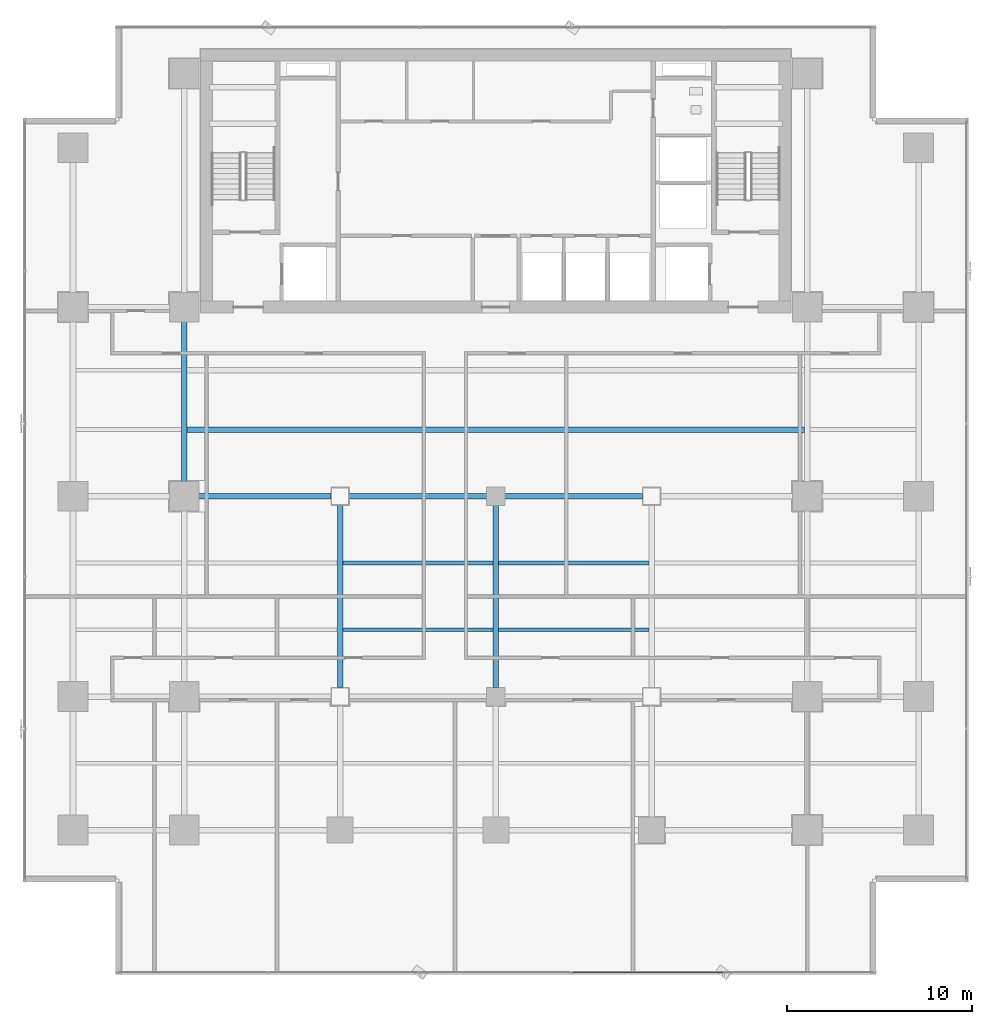
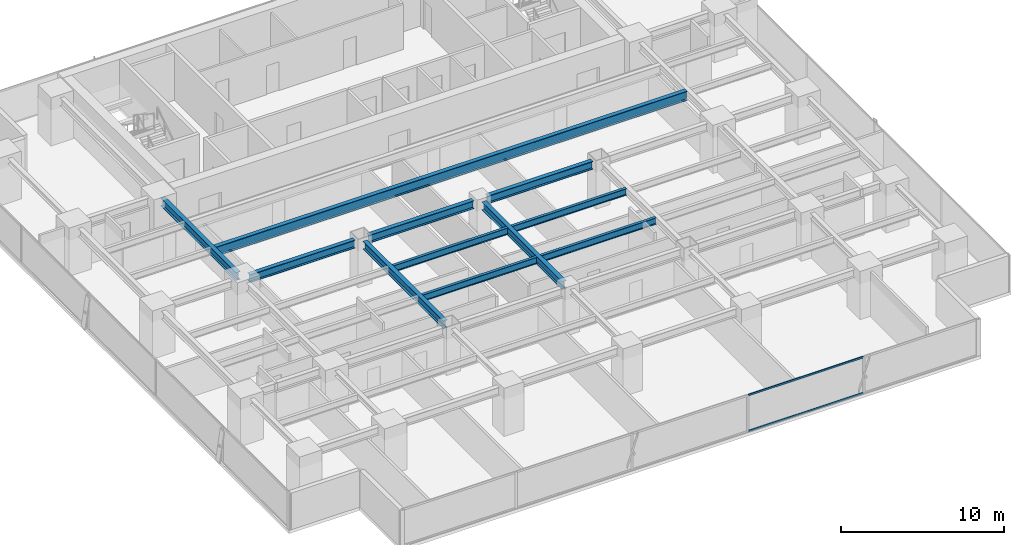
# One storey, part 11 of 37: 11 beams, 2 members, 1 element without a shape of its own.
"""IFC4 building model written with IfcOpenShell, lengths in metres."""

from ifc_helpers import new_model, si_unit, direction, frame, origin, origin_2d, place, context, subcontext, project, spatial, hollow_rectangle, i_section, extrude, source, transform, mapped, material, layer, layer_set, material_profile, profile_set, type_object, element, aggregate, save


model = new_model("IFC4")

# Units and contexts
model_context = context("Model", 3, precision=1e-05, world=origin(), true_north=direction((0.0, 1.0)))
body_context = subcontext(model_context, "Body", "Model", "MODEL_VIEW")
ifc_project = project(units=[si_unit("LENGTHUNIT", "METRE"), si_unit("AREAUNIT", "SQUARE_METRE"), si_unit("VOLUMEUNIT", "CUBIC_METRE"), si_unit("PLANEANGLEUNIT", "RADIAN"), si_unit("MASSUNIT", "GRAM", prefix="KILO")], contexts=[model_context])

# Site, building, storey
site_placement = place(None, origin())
site = spatial("IfcSite", under=ifc_project, at=site_placement, CompositionType="ELEMENT")
building_placement = place(site_placement, origin())
building = spatial("IfcBuilding", under=site, at=building_placement, Name="Sumidabori Civic Tower", CompositionType="ELEMENT")
storey_placement = place(building_placement, frame((0.0, 0.0, 110.0)))
storey = spatial("IfcBuildingStorey", under=building, at=storey_placement, Name="L28", CompositionType="ELEMENT", Elevation=110.0)

# Beams
ifc_material_1 = material(Name="Steel SN490", Category="steel")
ifc_material_profile_1 = material_profile(ifc_material_1, i_section(OverallWidth=0.300048828125, OverallDepth=0.60009765625, WebThickness=0.015380859375, FlangeThickness=0.030029296875, at=origin_2d()), Name="HE 600 B")
ifc_profile_set_1 = profile_set([ifc_material_profile_1], Name="Steel SN490")
beam_type_1 = type_object("IfcBeamType", Name="BM-GIRD-600", PredefinedType="BEAM", material=ifc_profile_set_1)
shared_shape_1 = source(origin(), body_context, "Body", "SweptSolid", [
    extrude(i_section(OverallWidth=0.300048828125, OverallDepth=0.60009765625, WebThickness=0.015380859375, FlangeThickness=0.030029296875, at=origin_2d()), origin(), (0.0, 0.0, 1.0), 7.440185546875),
])
beam_1_placement = place(storey_placement, frame((-16.320068359375, 0.0, 3.06005859375), z_axis=(1.0, 0.0, 0.0), x_axis=(0.0, 1.0, 0.0)))
element("IfcBeam", 1, at=beam_1_placement, inside=storey, type_object=beam_type_1, Name="Primary Girder L28 GX-14", PredefinedType="BEAM", context=body_context, shape_type="MappedRepresentation", body=[
    mapped(shared_shape_1, transform((0.0, 0.0, 0.0), x_axis=(1.0, 0.0, 0.0), y_axis=(0.0, 1.0, 0.0), z_axis=(0.0, 0.0, 1.0), scale=1.0)),
])
shared_shape_2 = source(origin(), body_context, "Body", "SweptSolid", [
    extrude(i_section(OverallWidth=0.300048828125, OverallDepth=0.60009765625, WebThickness=0.015380859375, FlangeThickness=0.030029296875, at=origin_2d()), origin(), (0.0, 0.0, 1.0), 7.43994140625),
])
for number, where, z_axis, x_axis, name in (
    (2, (-7.919921875, 0.0, 3.06005859375), (1.0, 0.0, 0.0), (0.0, 1.0, 0.0), "Primary Girder L28 GX-15"),
    (3, (0.47998046875, 0.0, 3.06005859375), (1.0, 0.0, 0.0), (0.0, 1.0, 0.0), "Primary Girder L28 GX-16"),
):
    element("IfcBeam", number, at=place(storey_placement, frame(where, z_axis=z_axis, x_axis=x_axis)), inside=storey, type_object=beam_type_1, Name=name, PredefinedType="BEAM", context=body_context, shape_type="MappedRepresentation", body=[
        mapped(shared_shape_2, transform((0.0, 0.0, 0.0), x_axis=(1.0, 0.0, 0.0), y_axis=(0.0, 1.0, 0.0), z_axis=(0.0, 0.0, 1.0), scale=1.0)),
    ])
shared_shape_3 = source(origin(), body_context, "Body", "SweptSolid", [
    extrude(i_section(OverallWidth=0.300048828125, OverallDepth=0.60009765625, WebThickness=0.015380859375, FlangeThickness=0.030029296875, at=origin_2d()), origin(), (0.0, 0.0, 1.0), 9.840087890625),
])
for number, where, z_axis, x_axis, name in (
    (4, (-8.39990234375, -10.320068359375, 3.06005859375), (0.0, 1.0, 0.0), (-1.0, 0.0, 0.0), "Primary Girder L28 GY-30"),
    (5, (0.0, -10.320068359375, 3.06005859375), (0.0, 1.0, 0.0), (-1.0, 0.0, 0.0), "Primary Girder L28 GY-32"),
):
    element("IfcBeam", number, at=place(storey_placement, frame(where, z_axis=z_axis, x_axis=x_axis)), inside=storey, type_object=beam_type_1, Name=name, PredefinedType="BEAM", context=body_context, shape_type="MappedRepresentation", body=[
        mapped(shared_shape_3, transform((0.0, 0.0, 0.0), x_axis=(1.0, 0.0, 0.0), y_axis=(0.0, 1.0, 0.0), z_axis=(0.0, 0.0, 1.0), scale=1.0)),
    ])
shared_shape_4 = source(origin(), body_context, "Body", "SweptSolid", [
    extrude(i_section(OverallWidth=0.300048828125, OverallDepth=0.60009765625, WebThickness=0.015380859375, FlangeThickness=0.030029296875, at=origin_2d()), origin(), (0.0, 0.0, 1.0), 9.239990234375),
])
beam_2_placement = place(storey_placement, frame((-16.800048828125, 0.47998046875, 3.06005859375), z_axis=(0.0, 1.0, 0.0), x_axis=(-1.0, 0.0, 0.0)))
element("IfcBeam", 6, at=beam_2_placement, inside=storey, type_object=beam_type_1, Name="Primary Girder L28 GY-27", PredefinedType="BEAM", context=body_context, shape_type="MappedRepresentation", body=[
    mapped(shared_shape_4, transform((0.0, 0.0, 0.0), x_axis=(1.0, 0.0, 0.0), y_axis=(0.0, 1.0, 0.0), z_axis=(0.0, 0.0, 1.0), scale=1.0)),
])
ifc_material_profile_2 = material_profile(ifc_material_1, i_section(OverallWidth=0.300048828125, OverallDepth=0.699951171875, WebThickness=0.01708984375, FlangeThickness=0.031982421875, at=origin_2d()), Name="HE 700 B")
ifc_profile_set_2 = profile_set([ifc_material_profile_2], Name="Steel SN490")
beam_type_2 = type_object("IfcBeamType", Name="BM-GIRD-700", PredefinedType="BEAM", material=ifc_profile_set_2)
shared_shape_5 = source(origin(), body_context, "Body", "SweptSolid", [
    extrude(i_section(OverallWidth=0.300048828125, OverallDepth=0.699951171875, WebThickness=0.01708984375, FlangeThickness=0.031982421875, at=origin_2d()), origin(), (0.0, 0.0, 1.0), 33.2998046875),
])
beam_3_placement = place(storey_placement, frame((-16.64990234375, 3.60009765625, 3.010009765625), z_axis=(1.0, 0.0, 0.0), x_axis=(0.0, 1.0, 0.0)))
element("IfcBeam", 7, at=beam_3_placement, inside=storey, type_object=beam_type_2, Name="North Bay Floor Beam L28 JSTN-53", PredefinedType="BEAM", context=body_context, shape_type="MappedRepresentation", body=[
    mapped(shared_shape_5, transform((0.0, 0.0, 0.0), x_axis=(1.0, 0.0, 0.0), y_axis=(0.0, 1.0, 0.0), z_axis=(0.0, 0.0, 1.0), scale=1.0)),
])
ifc_material_profile_3 = material_profile(ifc_material_1, i_section(OverallWidth=0.199951171875, OverallDepth=0.5, WebThickness=0.01025390625, FlangeThickness=0.01611328125, at=origin_2d()), Name="IPE 500")
ifc_profile_set_3 = profile_set([ifc_material_profile_3], Name="Steel SN490")
beam_type_3 = type_object("IfcBeamType", Name="BM-JST-500", PredefinedType="JOIST", material=ifc_profile_set_3)
shared_shape_6 = source(origin(), body_context, "Body", "SweptSolid", [
    extrude(i_section(OverallWidth=0.199951171875, OverallDepth=0.5, WebThickness=0.01025390625, FlangeThickness=0.01611328125, at=origin_2d()), origin(), (0.0, 0.0, 1.0), 8.10009765625),
])
for number, where, z_axis, x_axis, name in (
    (8, (-8.25, -7.199951171875, 3.110107421875), (1.0, 0.0, 0.0), (0.0, 1.0, 0.0), "South Bay Floor Joist L28 JSTS-60"),
    (9, (0.14990234375, -7.199951171875, 3.110107421875), (1.0, 0.0, 0.0), (0.0, 1.0, 0.0), "South Bay Floor Joist L28 JSTS-61"),
    (10, (-8.25, -3.60009765625, 3.110107421875), (1.0, 0.0, 0.0), (0.0, 1.0, 0.0), "South Bay Floor Joist L28 JSTS-64"),
    (11, (0.14990234375, -3.60009765625, 3.110107421875), (1.0, 0.0, 0.0), (0.0, 1.0, 0.0), "South Bay Floor Joist L28 JSTS-65"),
):
    element("IfcBeam", number, at=place(storey_placement, frame(where, z_axis=z_axis, x_axis=x_axis)), inside=storey, type_object=beam_type_3, Name=name, PredefinedType="JOIST", context=body_context, shape_type="MappedRepresentation", body=[
        mapped(shared_shape_6, transform((0.0, 0.0, 0.0), x_axis=(1.0, 0.0, 0.0), y_axis=(0.0, 1.0, 0.0), z_axis=(0.0, 0.0, 1.0), scale=1.0)),
    ])

# Curtain wall, members
ifc_material_2 = material(Name="Anodised Bronze Aluminium AW-6063-T6", Category="aluminium")
ifc_layer = layer(ifc_material_2, 0.179931640625, Name="Anodised Bronze Aluminium AW-6063-T6")
ifc_layer_set = layer_set([ifc_layer], Name="Anodised Bronze Aluminium AW-6063-T6")
curtain_wall_type = type_object("IfcCurtainWallType", Name="CW-SYS-3", PredefinedType="NOTDEFINED", material=ifc_layer_set)
curtain_wall_placement = place(storey_placement, origin())
curtain_wall = element("IfcCurtainWall", 12, at=curtain_wall_placement, inside=storey, type_object=curtain_wall_type, Name="Curtain Wall CW:L28:R01", PredefinedType="NOTDEFINED")
ifc_material_profile_4 = material_profile(ifc_material_2, hollow_rectangle(XDim=0.06005859375, YDim=0.1298828125, WallThickness=0.0048828125, at=origin_2d()), Name="ALU TRANSOM 130x60")
ifc_profile_set_4 = profile_set([ifc_material_profile_4], Name="Anodised Bronze Aluminium AW-6063-T6")
member_type = type_object("IfcMemberType", Name="CW-TRN-130", PredefinedType="USERDEFINED", material=ifc_profile_set_4)
shared_shape_7 = source(origin(), body_context, "Body", "SweptSolid", [
    extrude(hollow_rectangle(XDim=0.06005859375, YDim=0.1298828125, WallThickness=0.0048828125, at=origin_2d()), origin(), (0.0, 0.0, 1.0), 8.123046875),
])
member_1_placement = place(storey_placement, frame((4.12646484375, -25.679931640625, 0.030029296875), z_axis=(1.0, 0.0, 0.0), x_axis=(0.0, 1.0, 0.0)))
member_1 = element("IfcMember", 13, at=member_1_placement, type_object=member_type, Name="CW-3 transom 4.1", ObjectType="TRANSOM", PredefinedType="USERDEFINED", context=body_context, shape_type="MappedRepresentation", body=[
    mapped(shared_shape_7, transform((0.0, 0.0, 0.0), x_axis=(1.0, 0.0, 0.0), y_axis=(0.0, 1.0, 0.0), z_axis=(0.0, 0.0, 1.0), scale=1.0)),
])
member_2_placement = place(storey_placement, frame((4.12646484375, -25.679931640625, 2.7099609375), z_axis=(1.0, 0.0, 0.0), x_axis=(0.0, 1.0, 0.0)))
member_2 = element("IfcMember", 14, at=member_2_placement, type_object=member_type, Name="CW-3 transom 4.2", ObjectType="TRANSOM", PredefinedType="USERDEFINED", context=body_context, shape_type="MappedRepresentation", body=[
    mapped(shared_shape_7, transform((0.0, 0.0, 0.0), x_axis=(1.0, 0.0, 0.0), y_axis=(0.0, 1.0, 0.0), z_axis=(0.0, 0.0, 1.0), scale=1.0)),
])
aggregate(curtain_wall, [member_1, member_2])

save(model, "model.ifc")
